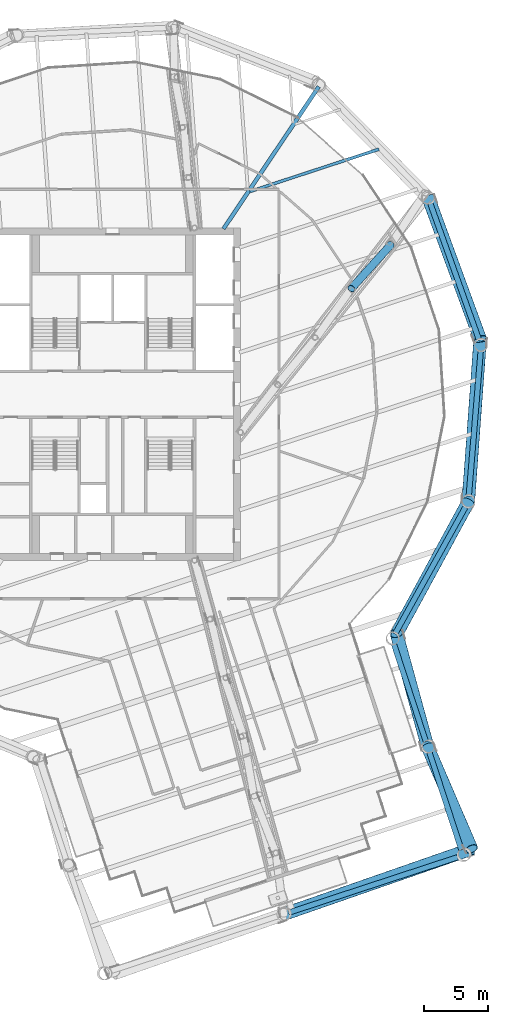
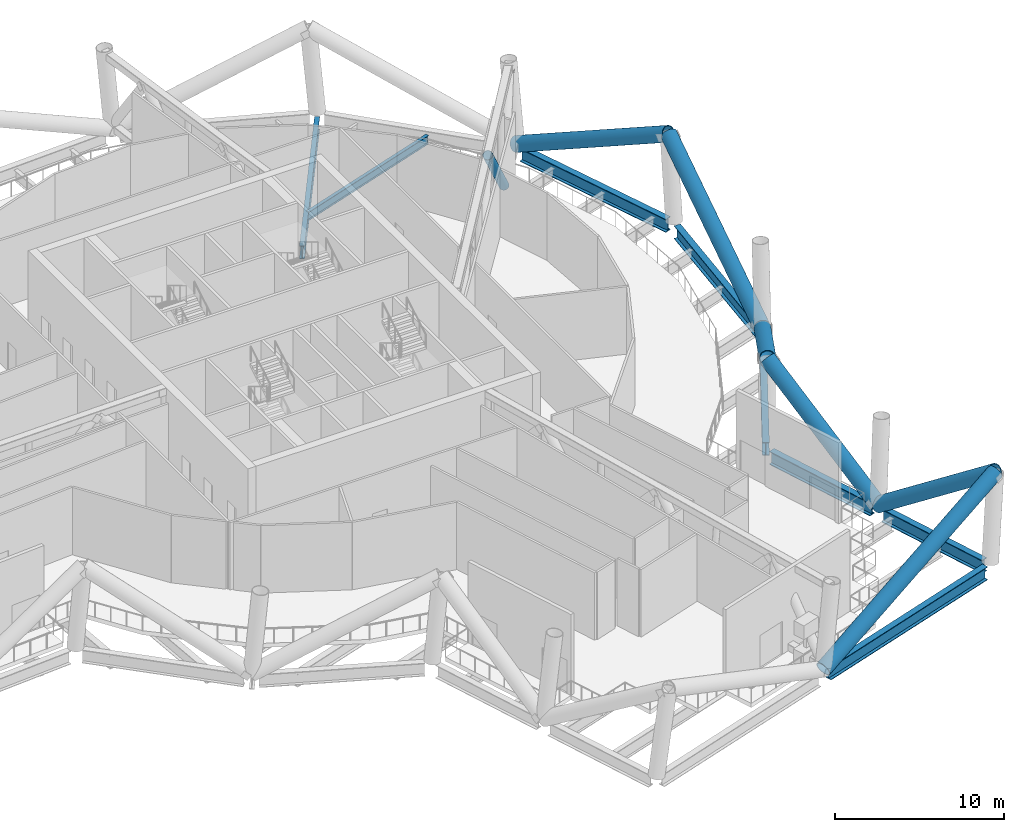
# One storey, part 7 of 33: 8 beams, 7 members.
"""IFC4 building model written with IfcOpenShell, lengths in metres."""

from ifc_helpers import new_model, si_unit, direction, frame, origin, origin_2d, place, context, subcontext, project, spatial, hollow_circle, i_section, extrude, material, material_profile, profile_set, type_object, element, save


model = new_model("IFC4")

# Units and contexts
model_context = context("Model", 3, precision=1e-05, world=origin(), true_north=direction((0.0, 1.0)))
body_context = subcontext(model_context, "Body", "Model", "MODEL_VIEW")
ifc_project = project(units=[si_unit("LENGTHUNIT", "METRE"), si_unit("AREAUNIT", "SQUARE_METRE"), si_unit("VOLUMEUNIT", "CUBIC_METRE"), si_unit("PLANEANGLEUNIT", "RADIAN"), si_unit("MASSUNIT", "GRAM", prefix="KILO")], contexts=[model_context])

# Site, building, storey
site_placement = place(None, origin())
site = spatial("IfcSite", under=ifc_project, at=site_placement, CompositionType="ELEMENT")
building_placement = place(site_placement, origin())
building = spatial("IfcBuilding", under=site, at=building_placement, Name="Tarsis Ring Headquarters", CompositionType="ELEMENT")
storey_placement = place(building_placement, frame((0.0, 0.0, 302.0)))
storey = spatial("IfcBuildingStorey", under=building, at=storey_placement, Name="L71", CompositionType="ELEMENT", Elevation=302.0)

# Beams
ifc_material = material(Name="Structural steel S355", Category="steel")
ifc_material_profile_1 = material_profile(ifc_material, i_section(OverallWidth=0.228271484375, OverallDepth=0.607177734375, WebThickness=0.01123046875, FlangeThickness=0.017333984375, at=origin_2d()), Name="W24x76")
ifc_profile_set_1 = profile_set([ifc_material_profile_1], Name="Structural steel S355")
beam_type_1 = type_object("IfcBeamType", Name="FB Floor beam W24x76", PredefinedType="JOIST", material=ifc_profile_set_1)
beam_1_placement = place(storey_placement, frame((10.72705078125, 15.831787109375, -0.603515625), z_axis=(0.950189483992, 0.311672816446, 0.0), x_axis=(-0.311672816446, 0.950189483992, 0.0)))
element("IfcBeam", 1, at=beam_1_placement, inside=storey, type_object=beam_type_1, Name="Floor beam FB4", PredefinedType="JOIST", context=body_context, shape_type="SweptSolid", body=[
    extrude(i_section(OverallWidth=0.228271484375, OverallDepth=0.607177734375, WebThickness=0.01123046875, FlangeThickness=0.017333984375, at=origin_2d()), origin(), (0.0, 0.0, 1.0), 10.62109375),
])
ifc_material_profile_2 = material_profile(ifc_material, i_section(OverallWidth=0.309814453125, OverallDepth=0.949951171875, WebThickness=0.0244140625, FlangeThickness=0.0439453125, at=origin_2d()), Name="W36x256")
ifc_profile_set_2 = profile_set([ifc_material_profile_2], Name="Structural steel S355")
beam_type_2 = type_object("IfcBeamType", Name="FB Floor beam W36x256 spine", PredefinedType="BEAM", material=ifc_profile_set_2)
beam_2_placement = place(storey_placement, frame((16.111328125, 24.030517578125, -0.77490234375), z_axis=(-0.556879434199, -0.830593339587, 0.0), x_axis=(0.830593339587, -0.556879434199, 0.0)))
element("IfcBeam", 2, at=beam_2_placement, inside=storey, type_object=beam_type_2, Name="Floor beam SB11", PredefinedType="BEAM", context=body_context, shape_type="SweptSolid", body=[
    extrude(i_section(OverallWidth=0.309814453125, OverallDepth=0.949951171875, WebThickness=0.0244140625, FlangeThickness=0.0439453125, at=origin_2d()), origin(), (0.0, 0.0, 1.0), 13.380126953125),
])

# Members
ifc_material_profile_3 = material_profile(ifc_material, hollow_circle(Radius=0.3046875, WallThickness=0.02490234375, at=origin_2d()), Name="CHS 610x25")
ifc_profile_set_3 = profile_set([ifc_material_profile_3], Name="Structural steel S355")
member_type_1 = type_object("IfcMemberType", Name="OD Outrigger diagonal CHS 610x25", PredefinedType="BRACE", material=ifc_profile_set_3)
member_1_placement = place(storey_placement, frame((18.652587890625, 8.243896484375, 5.5859375), z_axis=(0.4376313231, 0.486053055564, -0.756459683142), x_axis=(-0.743154567671, 0.669119786398, 0.0)))
element("IfcMember", 3, at=member_1_placement, inside=storey, type_object=member_type_1, Name="Outrigger diagonal OD1", PredefinedType="BRACE", context=body_context, shape_type="SweptSolid", body=[
    extrude(hollow_circle(Radius=0.3046875, WallThickness=0.02490234375, at=origin_2d()), origin(), (0.0, 0.0, 1.0), 7.048583984375),
])
ifc_material_profile_4 = material_profile(ifc_material, hollow_circle(Radius=0.508056640625, WallThickness=0.0400390625, at=origin_2d()), Name="CHS 1016x40")
ifc_profile_set_4 = profile_set([ifc_material_profile_4], Name="Structural steel S355")
member_type_2 = type_object("IfcMemberType", Name="TD Belt truss diagonal CHS 1016x40", PredefinedType="BRACE", material=ifc_profile_set_4)
member_2_placement = place(storey_placement, frame((13.339599609375, -40.668212890625, 0.0), z_axis=(0.881395754666, 0.306498671403, 0.359444137641), x_axis=(-0.328450107298, 0.944521321631, 0.0)))
element("IfcMember", 4, at=member_2_placement, inside=storey, type_object=member_type_2, Name="Belt truss diagonal TD6", PredefinedType="BRACE", context=body_context, shape_type="SweptSolid", body=[
    extrude(hollow_circle(Radius=0.508056640625, WallThickness=0.0400390625, at=origin_2d()), origin(), (0.0, 0.0, 1.0), 16.6923828125),
])
member_3_placement = place(storey_placement, frame((24.627685546875, -27.5966796875, 0.0), z_axis=(0.325023282892, -0.755035550939, 0.569456918824), x_axis=(0.918511068637, 0.395395266527, 0.0)))
element("IfcMember", 5, at=member_3_placement, inside=storey, type_object=member_type_2, Name="Belt truss diagonal TD6", PredefinedType="BRACE", context=body_context, shape_type="SweptSolid", body=[
    extrude(hollow_circle(Radius=0.508056640625, WallThickness=0.0400390625, at=origin_2d()), origin(), (0.0, 0.0, 1.0), 10.536376953125),
])
member_4_placement = place(storey_placement, frame((24.627685546875, -27.5966796875, 0.0), z_axis=(-0.221534382715, 0.807390023786, 0.546849034713), x_axis=(-0.964357270041, -0.264603582211, 0.0)))
element("IfcMember", 6, at=member_4_placement, inside=storey, type_object=member_type_2, Name="Belt truss diagonal TD6", PredefinedType="BRACE", context=body_context, shape_type="SweptSolid", body=[
    extrude(hollow_circle(Radius=0.508056640625, WallThickness=0.0400390625, at=origin_2d()), origin(), (0.0, 0.0, 1.0), 10.971923828125),
])
member_5_placement = place(storey_placement, frame((27.798828125, -8.4287109375, 0.0), z_axis=(-0.425084392919, -0.782307198073, 0.455300677288), x_axis=(0.878663412707, -0.477441731702, 0.0)))
element("IfcMember", 7, at=member_5_placement, inside=storey, type_object=member_type_2, Name="Belt truss diagonal TD6", PredefinedType="BRACE", context=body_context, shape_type="SweptSolid", body=[
    extrude(hollow_circle(Radius=0.508056640625, WallThickness=0.0400390625, at=origin_2d()), origin(), (0.0, 0.0, 1.0), 13.17822265625),
])
member_6_placement = place(storey_placement, frame((27.798828125, -8.4287109375, 0.0), z_axis=(0.065900358611, 0.902594299629, 0.42541823305), x_axis=(-0.997345221629, 0.072818328003, 0.0)))
element("IfcMember", 8, at=member_6_placement, inside=storey, type_object=member_type_2, Name="Belt truss diagonal TD6", PredefinedType="BRACE", context=body_context, shape_type="SweptSolid", body=[
    extrude(hollow_circle(Radius=0.508056640625, WallThickness=0.0400390625, at=origin_2d()), origin(), (0.0, 0.0, 1.0), 14.103759765625),
])
member_7_placement = place(storey_placement, frame((24.683349609375, 15.31494140625, 0.0), z_axis=(0.306942684551, -0.835755576139, 0.455300785583), x_axis=(0.938695047425, 0.344748615573, 0.0)))
element("IfcMember", 9, at=member_7_placement, inside=storey, type_object=member_type_2, Name="Belt truss diagonal TD6", PredefinedType="BRACE", context=body_context, shape_type="SweptSolid", body=[
    extrude(hollow_circle(Radius=0.508056640625, WallThickness=0.0400390625, at=origin_2d()), origin(), (0.0, 0.0, 1.0), 13.17822265625),
])

# Beams
ifc_material_profile_5 = material_profile(ifc_material, i_section(OverallWidth=0.42431640625, OverallDepth=0.947509765625, WebThickness=0.02392578125, FlangeThickness=0.042724609375, at=origin_2d()), Name="W36x302")
ifc_profile_set_5 = profile_set([ifc_material_profile_5], Name="Structural steel S355")
beam_type_3 = type_object("IfcBeamType", Name="XG Ring girder W36x302", PredefinedType="BEAM", material=ifc_profile_set_5)
beam_3_placement = place(storey_placement, frame((13.77392578125, -40.525634765625, -0.4736328125), z_axis=(0.950193184085, 0.311661535834, 0.0), x_axis=(-0.311661535834, 0.950193184085, 0.0)))
element("IfcBeam", 10, at=beam_3_placement, inside=storey, type_object=beam_type_3, Name="Ring girder XG1", PredefinedType="BEAM", context=body_context, shape_type="SweptSolid", body=[
    extrude(i_section(OverallWidth=0.42431640625, OverallDepth=0.947509765625, WebThickness=0.02392578125, FlangeThickness=0.042724609375, at=origin_2d()), origin(), (0.0, 0.0, 1.0), 13.8857421875),
])
for number, where, z_axis, x_axis, name in (
    (11, (27.259765625, -35.620849609375, -0.4736328125), (-0.311666939781, 0.950191411584, 0.0), (-0.950191411584, -0.311666939781, 0.0), "Ring girder XG1"),
    (12, (24.4853515625, -27.162109375, -0.4736328125), (-0.31169453503, 0.950182359778, 0.0), (-0.950182359778, -0.31169453503, 0.0), "Ring girder XG1"),
):
    element("IfcBeam", number, at=place(storey_placement, frame(where, z_axis=z_axis, x_axis=x_axis)), inside=storey, type_object=beam_type_3, Name=name, PredefinedType="BEAM", context=body_context, shape_type="SweptSolid", body=[
        extrude(i_section(OverallWidth=0.42431640625, OverallDepth=0.947509765625, WebThickness=0.02392578125, FlangeThickness=0.042724609375, at=origin_2d()), origin(), (0.0, 0.0, 1.0), 7.98779296875),
    ])
beam_4_placement = place(storey_placement, frame((22.0751953125, -18.738037109375, -0.4736328125), z_axis=(0.485396018648, 0.874294404123, 0.0), x_axis=(-0.874294404123, 0.485396018648, 0.0)))
element("IfcBeam", 13, at=beam_4_placement, inside=storey, type_object=beam_type_3, Name="Ring girder XG1", PredefinedType="BEAM", context=body_context, shape_type="SweptSolid", body=[
    extrude(i_section(OverallWidth=0.42431640625, OverallDepth=0.947509765625, WebThickness=0.02392578125, FlangeThickness=0.042724609375, at=origin_2d()), origin(), (0.0, 0.0, 1.0), 11.33447265625),
])
beam_5_placement = place(storey_placement, frame((27.836181640625, -7.97314453125, -0.4736328125), z_axis=(0.081870715647, 0.996642958095, 0.0), x_axis=(-0.996642958095, 0.081870715647, 0.0)))
element("IfcBeam", 14, at=beam_5_placement, inside=storey, type_object=beam_type_3, Name="Ring girder XG1", PredefinedType="BEAM", context=body_context, shape_type="SweptSolid", body=[
    extrude(i_section(OverallWidth=0.42431640625, OverallDepth=0.947509765625, WebThickness=0.02392578125, FlangeThickness=0.042724609375, at=origin_2d()), origin(), (0.0, 0.0, 1.0), 11.334716796875),
])
beam_6_placement = place(storey_placement, frame((28.64794921875, 4.209716796875, -0.4736328125), z_axis=(-0.336214952537, 0.941785275788, 0.0), x_axis=(-0.941785275788, -0.336214952537, 0.0)))
element("IfcBeam", 15, at=beam_6_placement, inside=storey, type_object=beam_type_3, Name="Ring girder XG1", PredefinedType="BEAM", context=body_context, shape_type="SweptSolid", body=[
    extrude(i_section(OverallWidth=0.42431640625, OverallDepth=0.947509765625, WebThickness=0.02392578125, FlangeThickness=0.042724609375, at=origin_2d()), origin(), (0.0, 0.0, 1.0), 11.33447265625),
])

save(model, "model.ifc")
